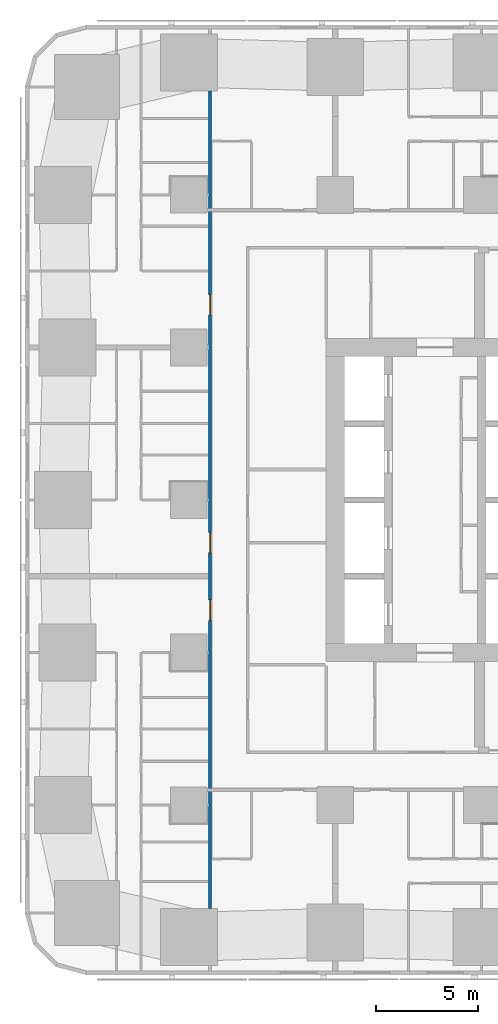
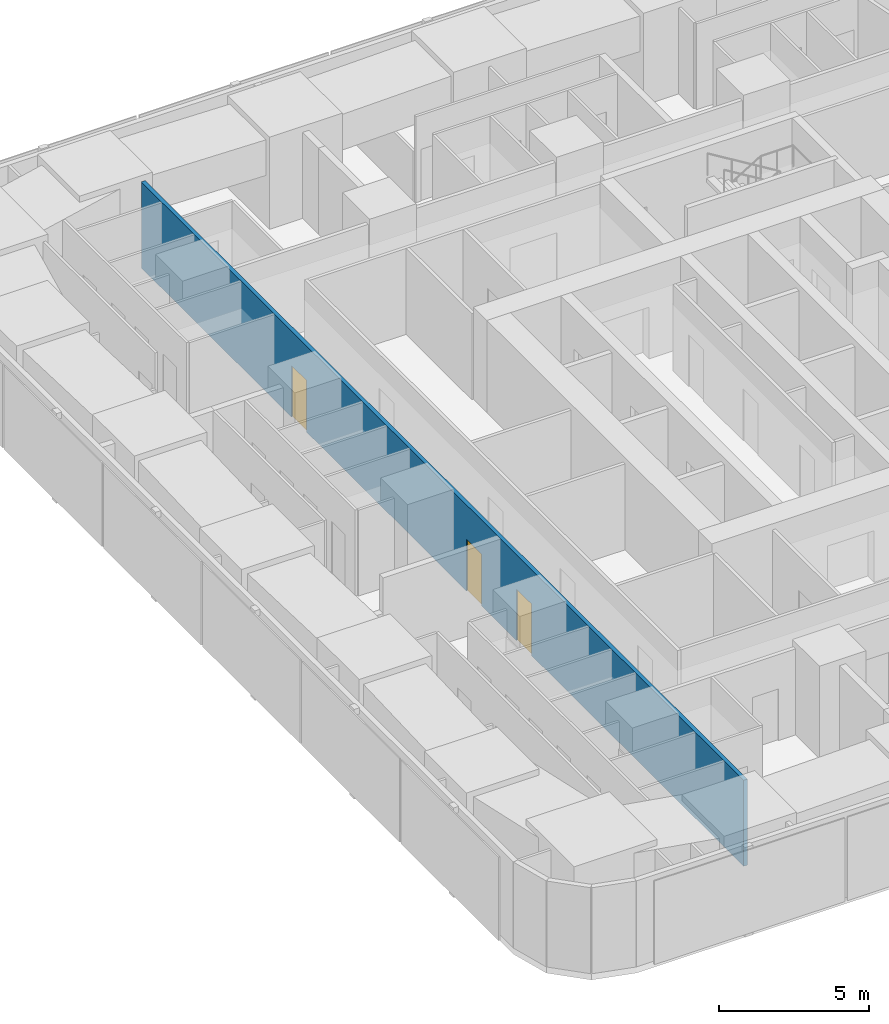
# One storey, part 6 of 18: 3 doors, 1 wall, 3 openings.
"""IFC4 building model written with IfcOpenShell, lengths in metres."""

from ifc_helpers import new_model, si_unit, direction, frame, frame_2d, origin, place, context, subcontext, project, spatial, rectangle, extrude, material, layer, layer_set, type_object, element, fill, save


model = new_model("IFC4")

# Units and contexts
model_context = context("Model", 3, precision=1e-05, world=origin(), true_north=direction((0.0, 1.0)))
body_context = subcontext(model_context, "Body", "Model", "MODEL_VIEW")
ifc_project = project(units=[si_unit("LENGTHUNIT", "METRE"), si_unit("AREAUNIT", "SQUARE_METRE"), si_unit("VOLUMEUNIT", "CUBIC_METRE"), si_unit("PLANEANGLEUNIT", "RADIAN"), si_unit("MASSUNIT", "GRAM", prefix="KILO")], contexts=[model_context])

# Site, building, storey
site_placement = place(None, origin())
site = spatial("IfcSite", under=ifc_project, at=site_placement, CompositionType="ELEMENT")
building_placement = place(site_placement, origin())
building = spatial("IfcBuilding", under=site, at=building_placement, Name="Sheger Commons Tower", CompositionType="ELEMENT")
storey_placement = place(building_placement, frame((0.0, 0.0, 35.0)))
storey = spatial("IfcBuildingStorey", under=building, at=storey_placement, Name="L08", CompositionType="ELEMENT", Elevation=35.0)

# Wall, openings, doors
ifc_material_1 = material(Name="Hollow concrete block masonry, skimmed both sides", Category="masonry")
ifc_layer = layer(ifc_material_1, 0.14990234375)
ifc_layer_set = layer_set([ifc_layer], Name="CORRIDOR WALL 150")
wall_type = type_object("IfcWallType", Name="CORRIDOR WALL 150", PredefinedType="SOLIDWALL", material=ifc_layer_set)
wall_placement = place(storey_placement, frame((8.25, 2.426025390625, 0.0), z_axis=(0.0, 0.0, 1.0), x_axis=(0.0, 1.0, 0.0)))
wall = element("IfcWall", 1, at=wall_placement, inside=storey, type_object=wall_type, Name="Corridor wall L08", PredefinedType="SOLIDWALL", context=body_context, shape_type="SweptSolid", body=[
    extrude(rectangle(XDim=40.173095703125, YDim=0.14990234375, at=frame_2d((20.08642578125, 0.0))), origin(), (0.0, 0.0, 1.0), 3.5),
])
opening_1_placement = place(wall_placement, frame((14.160888671875, 0.0, 0.0)))
opening_1 = element("IfcOpeningElement", 2, at=opening_1_placement, cuts=wall, Name="Opening D1", PredefinedType="OPENING", context=body_context, shape_type="SweptSolid", body=[
    extrude(rectangle(XDim=1.0, YDim=2.10009765625, at=frame_2d((0.5, 1.050048828125))), frame((0.0, 0.0849609375, 0.0), z_axis=(0.0, -1.0, 0.0), x_axis=(1.0, 0.0, 0.0)), (0.0, 0.0, 1.0), 0.169921875),
])
opening_2_placement = place(wall_placement, frame((17.487060546875, 0.0, 0.0)))
opening_2 = element("IfcOpeningElement", 3, at=opening_2_placement, cuts=wall, Name="Opening D1", PredefinedType="OPENING", context=body_context, shape_type="SweptSolid", body=[
    extrude(rectangle(XDim=1.0, YDim=2.10009765625, at=frame_2d((0.5, 1.050048828125))), frame((0.0, 0.0849609375, 0.0), z_axis=(0.0, -1.0, 0.0), x_axis=(1.0, 0.0, 0.0)), (0.0, 0.0, 1.0), 0.169921875),
])
opening_3_placement = place(wall_placement, frame((29.160888671875, 0.0, 0.0)))
opening_3 = element("IfcOpeningElement", 4, at=opening_3_placement, cuts=wall, Name="Opening D1", PredefinedType="OPENING", context=body_context, shape_type="SweptSolid", body=[
    extrude(rectangle(XDim=1.0, YDim=2.10009765625, at=frame_2d((0.5, 1.050048828125))), frame((0.0, 0.0849609375, 0.0), z_axis=(0.0, -1.0, 0.0), x_axis=(1.0, 0.0, 0.0)), (0.0, 0.0, 1.0), 0.169921875),
])
ifc_material_2 = material(Name="Steel door set, fire rated", Category="steel")
door_type = type_object("IfcDoorType", Name="FLAT ENTRANCE DOOR 1000x2100", OperationType="NOTDEFINED", PredefinedType="DOOR", material=ifc_material_2)
door_1_placement = place(opening_1_placement, origin())
door_1 = element("IfcDoor", 5, at=door_1_placement, inside=storey, type_object=door_type, Name="Flat entrance door", OperationType="SINGLE_SWING_RIGHT", OverallHeight=2.10009765625, OverallWidth=1.0, PredefinedType="DOOR", context=body_context, shape_type="SweptSolid", body=[
    extrude(rectangle(XDim=1.0, YDim=2.10009765625, at=frame_2d((0.5, 1.050048828125))), frame((0.0, 0.02490234375, 0.0), z_axis=(0.0, -1.0, 0.0), x_axis=(1.0, 0.0, 0.0)), (0.0, 0.0, 1.0), 0.050048828125),
])
fill(opening_1, door_1)
door_2_placement = place(opening_2_placement, origin())
door_2 = element("IfcDoor", 6, at=door_2_placement, inside=storey, type_object=door_type, Name="Flat entrance door", OperationType="SINGLE_SWING_LEFT", OverallHeight=2.10009765625, OverallWidth=1.0, PredefinedType="DOOR", context=body_context, shape_type="SweptSolid", body=[
    extrude(rectangle(XDim=1.0, YDim=2.10009765625, at=frame_2d((0.5, 1.050048828125))), frame((0.0, 0.02490234375, 0.0), z_axis=(0.0, -1.0, 0.0), x_axis=(1.0, 0.0, 0.0)), (0.0, 0.0, 1.0), 0.050048828125),
])
fill(opening_2, door_2)
door_3_placement = place(opening_3_placement, origin())
door_3 = element("IfcDoor", 7, at=door_3_placement, inside=storey, type_object=door_type, Name="Flat entrance door", OperationType="SINGLE_SWING_RIGHT", OverallHeight=2.10009765625, OverallWidth=1.0, PredefinedType="DOOR", context=body_context, shape_type="SweptSolid", body=[
    extrude(rectangle(XDim=1.0, YDim=2.10009765625, at=frame_2d((0.5, 1.050048828125))), frame((0.0, 0.02490234375, 0.0), z_axis=(0.0, -1.0, 0.0), x_axis=(1.0, 0.0, 0.0)), (0.0, 0.0, 1.0), 0.050048828125),
])
fill(opening_3, door_3)

save(model, "model.ifc")
